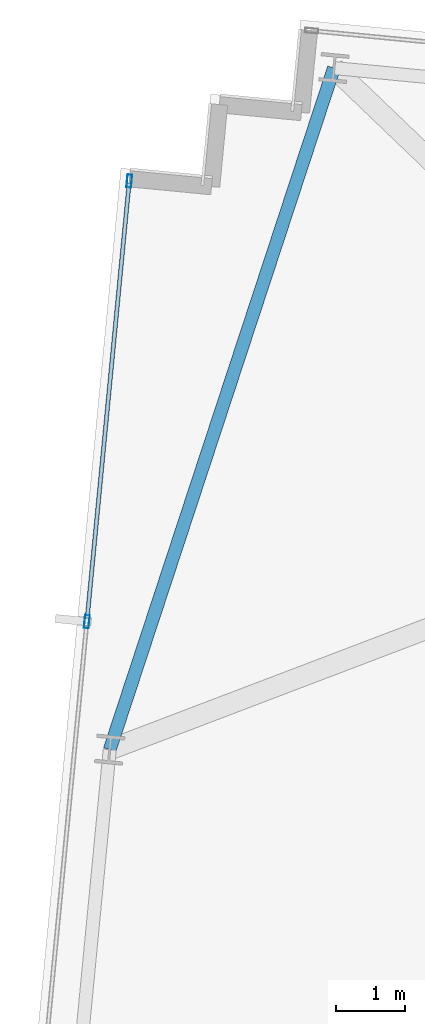
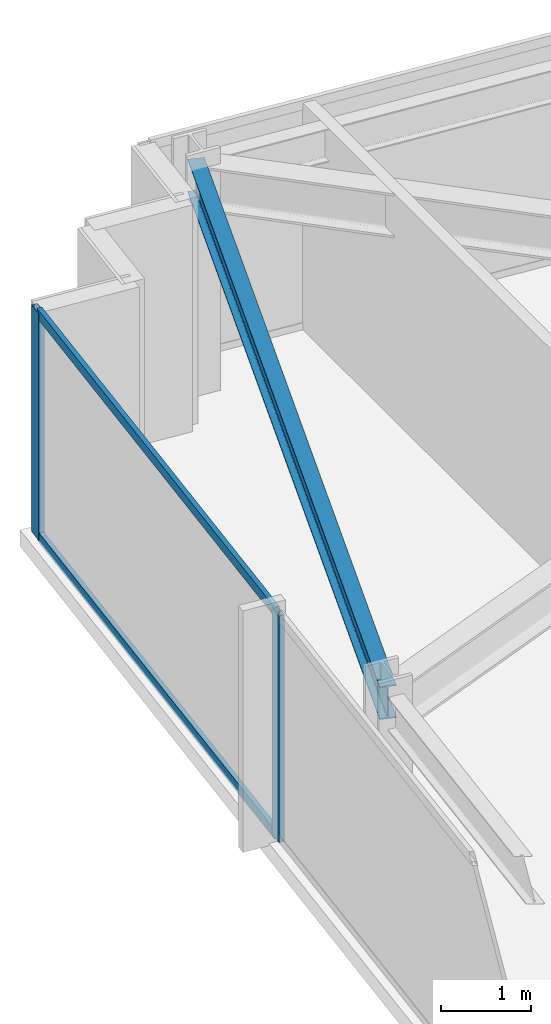
# One storey, part 21 of 37: 4 members, 1 beam, 1 element without a shape of its own.
"""IFC4 building model written with IfcOpenShell, lengths in metres."""

import ifcopenshell
import ifcopenshell.guid

model = None  # the IFC model being written
_history = None  # IfcOwnerHistory: only IFC2X3 demands one
_inside = {}  # id of a spatial element -> (the spatial element, [elements in it])
_under = {}  # id of a project, library or spatial element -> (it, [spatial elements below it])
_declared = {}  # id of a project -> (the project, [libraries it declares])
_typed = {}  # id of a type object -> (the type object, [elements of that type])
_made_of = {}  # id of a material, layer set ... -> (it, [elements and type objects made of it])


def new_model(schema):
    """Start an empty IFC model of exactly this schema.

    Asked for "IFC4X3", IfcOpenShell would pick the latest addendum, in which some entities
    have other attributes; the version numbers below select the first issue.
    IFC2X3 requires an IfcOwnerHistory on every rooted entity: one is made here for all.
    """
    global model, _history
    if schema == "IFC4X3":
        model = ifcopenshell.file(schema_version=(4, 3, 0, 0))
    else:
        model = ifcopenshell.file(schema=schema)
    _inside.clear()
    _under.clear()
    _declared.clear()
    _typed.clear()
    _made_of.clear()
    _history = None
    if model.schema == "IFC2X3":
        org = make("IfcOrganization", Name="unknown")
        user = make(
            "IfcPersonAndOrganization",
            ThePerson=make("IfcPerson", FamilyName="unknown"),
            TheOrganization=org,
        )
        app = make(
            "IfcApplication",
            ApplicationDeveloper=org,
            Version="unknown",
            ApplicationFullName="unknown",
            ApplicationIdentifier="unknown",
        )
        _history = make(
            "IfcOwnerHistory",
            OwningUser=user,
            OwningApplication=app,
            ChangeAction="ADDED",
            CreationDate=0,
        )
    return model


def make(cls, **values):
    """One entity of the class cls with the attributes given. An attribute that is None is left unset."""
    return model.create_entity(
        cls, **{name: value for name, value in values.items() if value is not None}
    )


def rooted(cls, **values):
    """An entity with a GlobalId (a new one), such as an element, a storey or a relation."""
    return make(cls, GlobalId=ifcopenshell.guid.new(), OwnerHistory=_history, **values)


def si_unit(unit_type, name, prefix=None):
    """IfcSIUnit, for example si_unit("LENGTHUNIT", "METRE", prefix="MILLI")."""
    return make("IfcSIUnit", UnitType=unit_type, Prefix=prefix, Name=name)


def assignment(units):
    """IfcUnitAssignment: the units of a project."""
    return None if units is None else make("IfcUnitAssignment", Units=units)


def point(xyz):
    """IfcCartesianPoint."""
    return None if xyz is None else make("IfcCartesianPoint", Coordinates=xyz)


def direction(xyz):
    """IfcDirection."""
    return None if xyz is None else make("IfcDirection", DirectionRatios=xyz)


def frame(location, z_axis=None, x_axis=None):
    """IfcAxis2Placement3D, a coordinate frame: its origin and axes. An axis left out is left unset."""
    return make(
        "IfcAxis2Placement3D",
        Location=point(location),
        Axis=direction(z_axis),
        RefDirection=direction(x_axis),
    )


def frame_2d(location, x_axis=None):
    """IfcAxis2Placement2D, a coordinate frame in the plane: its origin and x axis."""
    return make(
        "IfcAxis2Placement2D", Location=point(location), RefDirection=direction(x_axis)
    )


def origin():
    """The frame at (0, 0, 0) with its axes left unset."""
    return frame((0.0, 0.0, 0.0))


def origin_2d():
    """The frame at (0, 0) in the plane with its x axis left unset."""
    return frame_2d((0.0, 0.0))


def place(relative_to, where):
    """IfcLocalPlacement: puts the frame where relative to a parent placement (None: the world)."""
    return make(
        "IfcLocalPlacement", PlacementRelTo=relative_to, RelativePlacement=where
    )


def context(
    kind, dimensions, precision=None, world=None, true_north=None, identifier=None
):
    """IfcGeometricRepresentationContext, for example the 3D "Model" context."""
    return make(
        "IfcGeometricRepresentationContext",
        ContextIdentifier=identifier,
        ContextType=kind,
        CoordinateSpaceDimension=dimensions,
        Precision=precision,
        WorldCoordinateSystem=world,
        TrueNorth=true_north,
    )


def subcontext(parent, identifier, kind, view, scale=None):
    """IfcGeometricRepresentationSubContext, for example "Body" below "Model"."""
    return make(
        "IfcGeometricRepresentationSubContext",
        ContextIdentifier=identifier,
        ContextType=kind,
        ParentContext=parent,
        TargetScale=scale,
        TargetView=view,
    )


def project(units=None, contexts=None):
    """IfcProject with its units and contexts."""
    return rooted(
        "IfcProject",
        Name="project",
        RepresentationContexts=contexts,
        UnitsInContext=assignment(units),
    )


def spatial(cls, under=None, at=None, **own):
    """A site, building, storey or space (cls), placed at a placement, below another one or the project."""
    s = rooted(cls, ObjectPlacement=at, **own)
    if under is not None:
        _under.setdefault(under.id(), (under, []))[1].append(s)
    return s


def profile(cls, at=None, kind="AREA", **sizes):
    """A parametric profile (cls). Its sizes go by their IFC names, for example OverallWidth=200.0."""
    return make(cls, ProfileType=kind, Position=at, **sizes)


def hollow_rectangle(**sizes):
    """IfcRectangleHollowProfileDef."""
    return profile("IfcRectangleHollowProfileDef", **sizes)


def i_section(**sizes):
    """IfcIShapeProfileDef."""
    return profile("IfcIShapeProfileDef", **sizes)


def extrude(swept, where, along, depth):
    """IfcExtrudedAreaSolid: the profile swept, set in the frame where, extruded along a direction by depth."""
    return make(
        "IfcExtrudedAreaSolid",
        SweptArea=swept,
        Position=where,
        ExtrudedDirection=direction(along),
        Depth=depth,
    )


def shape(context_of_items, identifier, shape_type, items):
    """IfcShapeRepresentation: the items that make up one representation, for example the "Body"."""
    return make(
        "IfcShapeRepresentation",
        ContextOfItems=context_of_items,
        RepresentationIdentifier=identifier,
        RepresentationType=shape_type,
        Items=items,
    )


def material(Name=None, Category=None):
    """IfcMaterial."""
    return make("IfcMaterial", Name=Name, Category=Category)


def material_profile(
    of_material, cross_section, Name=None, Category=None, Priority=None
):
    """IfcMaterialProfile: a cross section and its material."""
    return make(
        "IfcMaterialProfile",
        Name=Name,
        Material=of_material,
        Profile=cross_section,
        Priority=Priority,
        Category=Category,
    )


def profile_set(profiles, Name=None, composite=None):
    """IfcMaterialProfileSet."""
    return make(
        "IfcMaterialProfileSet",
        Name=Name,
        MaterialProfiles=profiles,
        CompositeProfile=composite,
    )


def made_of(thing, what):
    """Note that an element or type object is made of a material, layer set ...; save() writes the relation."""
    if what is not None:
        _made_of.setdefault(what.id(), (what, []))[1].append(thing)
    return thing


def type_object(cls, material=None, **own):
    """A type object (cls), such as IfcWallType, which elements share."""
    return made_of(rooted(cls, **own), material)


def element(
    cls,
    number,
    at=None,
    inside=None,
    cuts=None,
    type_object=None,
    material=None,
    context=None,
    identifier="Body",
    shape_type=None,
    held_by="IfcProductDefinitionShape",
    body=None,
    shapes=None,
    **own,
):
    """One element of the class cls, such as IfcWall. Its Tag is "e" and its number.

    at: its placement. inside: the storey or other place that contains it. cuts: it is an
    opening in that element (IfcRelVoidsElement). A single representation is given by context,
    identifier, shape_type and body (its items); several are given by shapes. held_by: the class
    of the entity that holds the representations. save() writes the other relations.
    """
    e = rooted(cls, Tag="e%d" % number, ObjectPlacement=at, **own)
    if body is not None:
        shapes = [shape(context, identifier, shape_type, body)]
    if shapes is not None:
        e.Representation = make(held_by, Representations=shapes)
    if inside is not None:
        _inside.setdefault(inside.id(), (inside, []))[1].append(e)
    if cuts is not None:
        rooted(
            "IfcRelVoidsElement", RelatingBuildingElement=cuts, RelatedOpeningElement=e
        )
    if type_object is not None:
        _typed.setdefault(type_object.id(), (type_object, []))[1].append(e)
    return made_of(e, material)


def aggregate(whole, parts):
    """IfcRelAggregates: a whole, such as a stair, and the parts it consists of."""
    return rooted("IfcRelAggregates", RelatingObject=whole, RelatedObjects=parts)


def save(model, path):
    """Write the relations noted so far, then the file.

    IfcRelAggregates (storeys below a building ...), IfcRelContainedInSpatialStructure (elements
    in a storey), IfcRelDefinesByType, IfcRelAssociatesMaterial and IfcRelDeclares: one each for
    every whole, place, type object, material and project.
    """
    for whole, parts in _under.values():
        aggregate(whole, parts)
    for where, things in _inside.values():
        rooted(
            "IfcRelContainedInSpatialStructure",
            RelatedElements=things,
            RelatingStructure=where,
        )
    for kind, things in _typed.values():
        rooted("IfcRelDefinesByType", RelatedObjects=things, RelatingType=kind)
    for what, things in _made_of.values():
        rooted("IfcRelAssociatesMaterial", RelatedObjects=things, RelatingMaterial=what)
    for by, libraries in _declared.values():
        rooted("IfcRelDeclares", RelatingContext=by, RelatedDefinitions=libraries)
    model.write(path)


model = new_model("IFC4")

# Units and contexts
model_context = context("Model", 3, precision=1e-05, world=origin(), true_north=direction((0.0, 1.0)))
body_context = subcontext(model_context, "Body", "Model", "MODEL_VIEW")
ifc_project = project(units=[si_unit("LENGTHUNIT", "METRE"), si_unit("AREAUNIT", "SQUARE_METRE"), si_unit("VOLUMEUNIT", "CUBIC_METRE"), si_unit("PLANEANGLEUNIT", "RADIAN"), si_unit("MASSUNIT", "GRAM", prefix="KILO")], contexts=[model_context])

# Site, building, storey
site_placement = place(None, origin())
site = spatial("IfcSite", under=ifc_project, at=site_placement, CompositionType="ELEMENT")
building_placement = place(site_placement, origin())
building = spatial("IfcBuilding", under=site, at=building_placement, Name="Yelkora Congress Tower", CompositionType="ELEMENT")
storey_placement = place(building_placement, frame((0.0, 0.0, 175.39990234375)))
storey = spatial("IfcBuildingStorey", under=building, at=storey_placement, Name="L48", CompositionType="ELEMENT", Elevation=175.39990234375)

# Beam
ifc_material_1 = material(Name="Steel S355J2", Category="steel")
ifc_material_profile_1 = material_profile(ifc_material_1, i_section(OverallWidth=0.18994140625, OverallDepth=0.449951171875, WebThickness=0.009521484375, FlangeThickness=0.0146484375, FilletRadius=0.02099609375, at=origin_2d()), Name="IPE 450")
ifc_profile_set_1 = profile_set([ifc_material_profile_1], Name="Steel S355J2")
beam_type = type_object("IfcBeamType", Name="BM-SPAN-IPE450", PredefinedType="SPANDREL", material=ifc_profile_set_1)
beam_placement = place(storey_placement, frame((7.388916015625, 50.390625, 2.85498046875), z_axis=(-0.312456737339, -0.949931990877, 0.0), x_axis=(0.949931990877, -0.312456737339, 0.0)))
element("IfcBeam", 1, at=beam_placement, inside=storey, type_object=beam_type, Name="L48 Perimeter Beam 16", PredefinedType="SPANDREL", context=body_context, shape_type="SweptSolid", body=[
    extrude(i_section(OverallWidth=0.18994140625, OverallDepth=0.449951171875, WebThickness=0.009521484375, FlangeThickness=0.0146484375, FilletRadius=0.02099609375, at=origin_2d()), origin(), (0.0, 0.0, 1.0), 10.4560546875),
])

# Curtain wall, members
ifc_material_2 = material(Name="Anodised aluminium and insulated glass", Category="aluminium")
curtain_wall_type = type_object("IfcCurtainWallType", Name="CW-SYS-B3", PredefinedType="NOTDEFINED", material=ifc_material_2)
curtain_wall_placement = place(storey_placement, origin())
curtain_wall = element("IfcCurtainWall", 2, at=curtain_wall_placement, inside=storey, type_object=curtain_wall_type, Name="L48 Unitised Curtain Wall 5", PredefinedType="NOTDEFINED")
ifc_material_3 = material(Name="Anodised aluminium 6063-T6", Category="aluminium")
ifc_material_profile_2 = material_profile(ifc_material_3, hollow_rectangle(XDim=0.070068359375, YDim=0.18994140625, WallThickness=0.00390625, at=origin_2d()), Name="ALU 70x190x4")
ifc_profile_set_2 = profile_set([ifc_material_profile_2], Name="Anodised aluminium 6063-T6")
member_type_1 = type_object("IfcMemberType", Name="MEM-ML-B3", PredefinedType="MULLION", material=ifc_profile_set_2)
member_1_placement = place(storey_placement, frame((3.7890625, 42.324462890625, 0.0), z_axis=(0.0, 0.0, 1.0), x_axis=(-0.995396242473, 0.095845294465, 0.0)))
member_1 = element("IfcMember", 3, at=member_1_placement, type_object=member_type_1, Name="CW-B3 mullion 5", PredefinedType="MULLION", context=body_context, shape_type="SweptSolid", body=[
    extrude(hollow_rectangle(XDim=0.070068359375, YDim=0.18994140625, WallThickness=0.00390625, at=origin_2d()), origin(), (0.0, 0.0, 1.0), 3.080078125),
])
member_2_placement = place(storey_placement, frame((4.4072265625, 48.74365234375, 0.0), z_axis=(0.0, 0.0, 1.0), x_axis=(-0.995396242473, 0.095845294465, 0.0)))
member_2 = element("IfcMember", 4, at=member_2_placement, type_object=member_type_1, Name="CW-B3 mullion 6", PredefinedType="MULLION", context=body_context, shape_type="SweptSolid", body=[
    extrude(hollow_rectangle(XDim=0.070068359375, YDim=0.18994140625, WallThickness=0.00390625, at=origin_2d()), origin(), (0.0, 0.0, 1.0), 3.080078125),
])
ifc_material_profile_3 = material_profile(ifc_material_3, hollow_rectangle(XDim=0.06005859375, YDim=0.1298828125, WallThickness=0.00390625, at=origin_2d()), Name="ALU 60x130x4")
ifc_profile_set_3 = profile_set([ifc_material_profile_3], Name="Anodised aluminium 6063-T6")
member_type_2 = type_object("IfcMemberType", Name="MEM-TR-B3", PredefinedType="USERDEFINED", material=ifc_profile_set_3)
member_3_placement = place(storey_placement, frame((3.79248046875, 42.359375, 0.030029296875), z_axis=(0.095834923543, 0.99539724102, 0.0), x_axis=(-0.99539724102, 0.095834923543, 0.0)))
member_3 = element("IfcMember", 5, at=member_3_placement, type_object=member_type_2, Name="CW-B3 transom 5.1", ObjectType="TRANSOM", PredefinedType="USERDEFINED", context=body_context, shape_type="SweptSolid", body=[
    extrude(hollow_rectangle(XDim=0.06005859375, YDim=0.1298828125, WallThickness=0.00390625, at=origin_2d()), origin(), (0.0, 0.0, 1.0), 6.37890625),
])
member_4_placement = place(storey_placement, frame((3.79248046875, 42.359375, 3.050048828125), z_axis=(0.095834923543, 0.99539724102, 0.0), x_axis=(-0.99539724102, 0.095834923543, 0.0)))
member_4 = element("IfcMember", 6, at=member_4_placement, type_object=member_type_2, Name="CW-B3 transom 5.2", ObjectType="TRANSOM", PredefinedType="USERDEFINED", context=body_context, shape_type="SweptSolid", body=[
    extrude(hollow_rectangle(XDim=0.06005859375, YDim=0.1298828125, WallThickness=0.00390625, at=origin_2d()), origin(), (0.0, 0.0, 1.0), 6.37890625),
])
aggregate(curtain_wall, [member_1, member_2, member_3, member_4])

save(model, "model.ifc")
